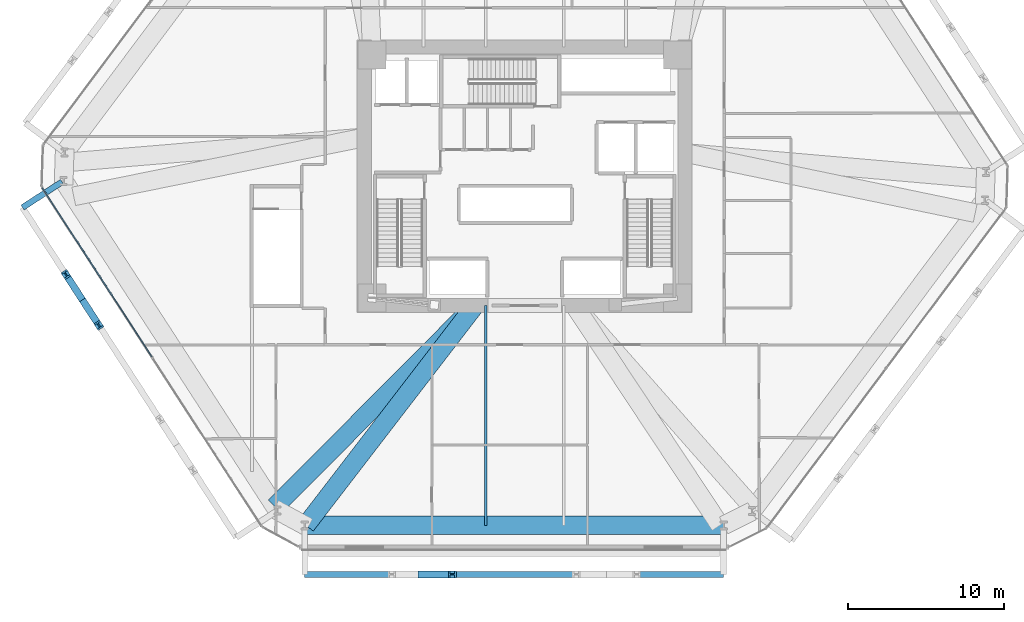
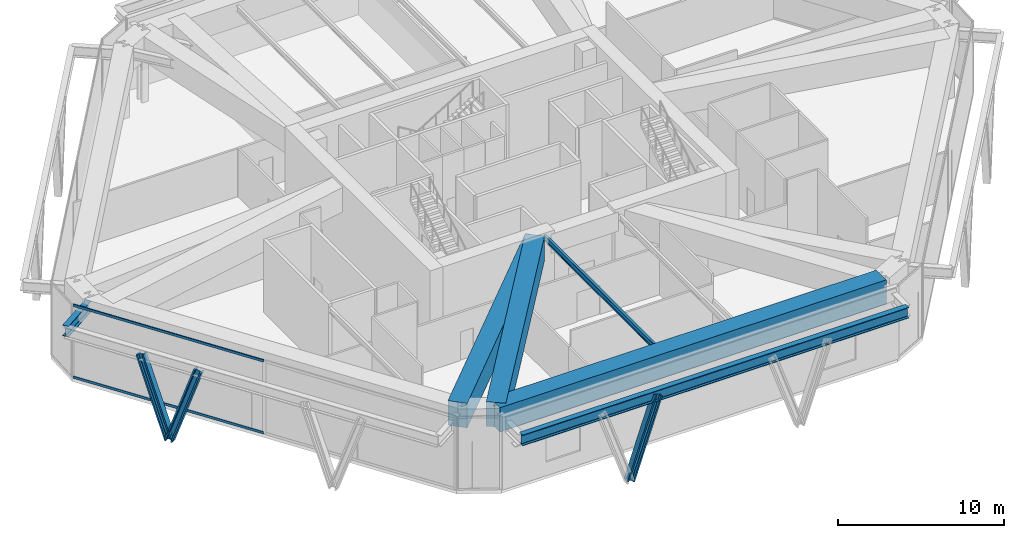
# One storey, part 3 of 19: 6 beams, 5 members, 1 element without a shape of its own.
"""IFC4 building model written with IfcOpenShell, lengths in metres."""

from ifc_helpers import new_model, si_unit, direction, frame, origin, origin_2d, place, context, subcontext, project, spatial, rectangle, i_section, extrude, source, transform, mapped, material, layer, layer_set, material_profile, profile_set, type_object, type_shapes, element, aggregate, save


model = new_model("IFC4")

# Units and contexts
model_context = context("Model", 3, precision=1e-05, world=origin(), true_north=direction((0.0, 1.0)))
body_context = subcontext(model_context, "Body", "Model", "MODEL_VIEW")
ifc_project = project(units=[si_unit("LENGTHUNIT", "METRE"), si_unit("AREAUNIT", "SQUARE_METRE"), si_unit("VOLUMEUNIT", "CUBIC_METRE"), si_unit("PLANEANGLEUNIT", "RADIAN"), si_unit("MASSUNIT", "GRAM", prefix="KILO")], contexts=[model_context])

# Site, building, storey
site_placement = place(None, origin())
site = spatial("IfcSite", under=ifc_project, at=site_placement, CompositionType="ELEMENT")
building_placement = place(site_placement, origin())
building = spatial("IfcBuilding", under=site, at=building_placement, Name="Durnholm Broadcast Tower", CompositionType="ELEMENT")
storey_placement = place(building_placement, frame((0.0, 0.0, 26.800048828125)))
storey = spatial("IfcBuildingStorey", under=building, at=storey_placement, Name="L05", CompositionType="ELEMENT", Elevation=26.800048828125)

# Beams
ifc_material_1 = material(Name="Steel ASTM A992 Grade 50", Category="steel")
ifc_material_profile_1 = material_profile(ifc_material_1, i_section(OverallWidth=0.180908203125, OverallDepth=0.417236328125, WebThickness=0.010986328125, FlangeThickness=0.018310546875, FilletRadius=0.01904296875, at=origin_2d()), Name="W16X57")
ifc_profile_set_1 = profile_set([ifc_material_profile_1], Name="Steel ASTM A992 Grade 50")
beam_type_1 = type_object("IfcBeamType", Name="STL-BJ-W16X57", PredefinedType="JOIST", material=ifc_profile_set_1)
shared_shape_1 = source(origin(), body_context, "Body", "SweptSolid", [
    extrude(i_section(OverallWidth=0.180908203125, OverallDepth=0.417236328125, WebThickness=0.010986328125, FlangeThickness=0.018310546875, FilletRadius=0.01904296875, at=origin_2d()), origin(), (0.0, 0.0, 1.0), 14.099853515625),
])
type_shapes(beam_type_1, [shared_shape_1])
beam_1_placement = place(storey_placement, frame((-2.5, -22.39990234375, 4.93115234375), z_axis=(0.0, 1.0, 0.0), x_axis=(-1.0, 0.0, 0.0)))
element("IfcBeam", 1, at=beam_1_placement, inside=storey, type_object=beam_type_1, Name="L05 secondary floor joist 5.1", PredefinedType="JOIST", context=body_context, shape_type="MappedRepresentation", body=[
    mapped(shared_shape_1, transform((0.0, 0.0, 0.0), x_axis=(1.0, 0.0, 0.0), y_axis=(0.0, 1.0, 0.0), z_axis=(0.0, 0.0, 1.0), scale=1.0)),
])
ifc_material_profile_2 = material_profile(ifc_material_1, i_section(OverallWidth=0.385009765625, OverallDepth=0.802978515625, WebThickness=0.023681640625, FlangeThickness=0.0419921875, FilletRadius=0.032958984375, at=origin_2d()), Name="W30X261")
ifc_profile_set_2 = profile_set([ifc_material_profile_2], Name="Steel ASTM A992 Grade 50")
beam_type_2 = type_object("IfcBeamType", Name="BM-EXO-TIE", PredefinedType="USERDEFINED", material=ifc_profile_set_2)
shared_shape_2 = source(origin(), body_context, "Body", "SweptSolid", [
    extrude(i_section(OverallWidth=0.385009765625, OverallDepth=0.802978515625, WebThickness=0.023681640625, FlangeThickness=0.0419921875, FilletRadius=0.032958984375, at=origin_2d()), origin(), (0.0, 0.0, 1.0), 26.891357421875),
])
beam_2_placement = place(storey_placement, frame((-14.119384765625, -25.550048828125, 4.6083984375), z_axis=(1.0, 0.0, 0.0), x_axis=(0.0, 1.0, 0.0)))
element("IfcBeam", 2, at=beam_2_placement, inside=storey, type_object=beam_type_2, Name="L05 exoskeleton collector spandrel F1", PredefinedType="SPANDREL", context=body_context, shape_type="MappedRepresentation", body=[
    mapped(shared_shape_2, transform((0.0, 0.0, 0.0), x_axis=(1.0, 0.0, 0.0), y_axis=(0.0, 1.0, 0.0), z_axis=(0.0, 0.0, 1.0), scale=1.0)),
])
shared_shape_3 = source(origin(), body_context, "Body", "SweptSolid", [
    extrude(i_section(OverallWidth=0.385009765625, OverallDepth=0.802978515625, WebThickness=0.023681640625, FlangeThickness=0.0419921875, FilletRadius=0.032958984375, at=origin_2d()), origin(), (0.0, 0.0, 1.0), 3.02392578125),
])
type_shapes(beam_type_2, [shared_shape_2, shared_shape_3])
beam_3_placement = place(storey_placement, frame((-29.6962890625, -0.357177734375, 4.6083984375), z_axis=(-0.838989179675, -0.544148101521, 0.0), x_axis=(0.544148101521, -0.838989179675, 0.0)))
element("IfcBeam", 3, at=beam_3_placement, inside=storey, type_object=beam_type_2, Name="L05 exoskeleton stand-off tie bracket F6.1", ObjectType="GIRDER", PredefinedType="USERDEFINED", context=body_context, shape_type="MappedRepresentation", body=[
    mapped(shared_shape_3, transform((0.0, 0.0, 0.0), x_axis=(1.0, 0.0, 0.0), y_axis=(0.0, 1.0, 0.0), z_axis=(0.0, 0.0, 1.0), scale=1.0)),
])
ifc_material_2 = material(Name="Concrete C70/85", Category="concrete")
ifc_material_profile_3 = material_profile(ifc_material_2, rectangle(XDim=1.199951171875, YDim=1.800048828125, at=origin_2d()), Name="RC1200X1800")
ifc_profile_set_3 = profile_set([ifc_material_profile_3], Name="Concrete C70/85")
beam_type_3 = type_object("IfcBeamType", Name="BM-TG-RC1800", PredefinedType="USERDEFINED", material=ifc_profile_set_3)
shared_shape_4 = source(origin(), body_context, "Body", "SweptSolid", [
    extrude(rectangle(XDim=1.199951171875, YDim=1.800048828125, at=origin_2d()), origin(), (0.0, 0.0, 1.0), 26.891357421875),
])
beam_4_placement = place(storey_placement, frame((12.77197265625, -22.39990234375, 4.4599609375), z_axis=(-1.0, 0.0, 0.0), x_axis=(0.0, -1.0, 0.0)))
element("IfcBeam", 4, at=beam_4_placement, inside=storey, type_object=beam_type_3, Name="L05 perimeter transfer spandrel girder 11", PredefinedType="SPANDREL", context=body_context, shape_type="MappedRepresentation", body=[
    mapped(shared_shape_4, transform((0.0, 0.0, 0.0), x_axis=(1.0, 0.0, 0.0), y_axis=(0.0, 1.0, 0.0), z_axis=(0.0, 0.0, 1.0), scale=1.0)),
])
shared_shape_5 = source(origin(), body_context, "Body", "SweptSolid", [
    extrude(rectangle(XDim=1.199951171875, YDim=1.800048828125, at=origin_2d()), origin(), (0.0, 0.0, 1.0), 18.193603515625),
])
beam_5_placement = place(storey_placement, frame((-3.199951171875, -8.300048828125, 4.4599609375), z_axis=(-0.705104514379, -0.709103394297, 0.0), x_axis=(0.709103394297, -0.705104514379, 0.0)))
element("IfcBeam", 5, at=beam_5_placement, inside=storey, type_object=beam_type_3, Name="L05 radial setback transfer girder 01", ObjectType="GIRDER", PredefinedType="USERDEFINED", context=body_context, shape_type="MappedRepresentation", body=[
    mapped(shared_shape_5, transform((0.0, 0.0, 0.0), x_axis=(1.0, 0.0, 0.0), y_axis=(0.0, 1.0, 0.0), z_axis=(0.0, 0.0, 1.0), scale=1.0)),
])
shared_shape_6 = source(origin(), body_context, "Body", "SweptSolid", [
    extrude(rectangle(XDim=1.199951171875, YDim=1.800048828125, at=origin_2d()), origin(), (0.0, 0.0, 1.0), 17.789306640625),
])
type_shapes(beam_type_3, [shared_shape_4, shared_shape_5, shared_shape_6])
beam_6_placement = place(storey_placement, frame((-3.199951171875, -8.300048828125, 4.4599609375), z_axis=(-0.609733310946, -0.792606642366, 0.0), x_axis=(0.792606642366, -0.609733310946, 0.0)))
element("IfcBeam", 6, at=beam_6_placement, inside=storey, type_object=beam_type_3, Name="L05 radial setback transfer girder 12", ObjectType="GIRDER", PredefinedType="USERDEFINED", context=body_context, shape_type="MappedRepresentation", body=[
    mapped(shared_shape_6, transform((0.0, 0.0, 0.0), x_axis=(1.0, 0.0, 0.0), y_axis=(0.0, 1.0, 0.0), z_axis=(0.0, 0.0, 1.0), scale=1.0)),
])

# Members
ifc_material_3 = material(Name="Steel ASTM A913 Grade 65", Category="steel")
ifc_material_profile_4 = material_profile(ifc_material_3, i_section(OverallWidth=0.44189453125, OverallDepth=0.531494140625, WebThickness=0.06591796875, FlangeThickness=0.105712890625, FilletRadius=0.030517578125, at=origin_2d()), Name="W14X605")
ifc_profile_set_4 = profile_set([ifc_material_profile_4], Name="Steel ASTM A913 Grade 65")
member_type_1 = type_object("IfcMemberType", Name="STL-DG-W14X605", PredefinedType="BRACE", material=ifc_profile_set_4)
shared_shape_7 = source(origin(), body_context, "Body", "SweptSolid", [
    extrude(i_section(OverallWidth=0.44189453125, OverallDepth=0.531494140625, WebThickness=0.06591796875, FlangeThickness=0.105712890625, FilletRadius=0.030517578125, at=origin_2d()), origin(), (0.0, 0.0, 1.0), 6.00341796875),
])
type_shapes(member_type_1, [shared_shape_7])
for number, where, z_axis, x_axis, name in (
    (7, (-6.58984375, -25.550048828125, -1.071533203125), (0.323866827071, 0.0, 0.946102678531), (0.0, 1.0, 0.0), "L05 stand-off diagrid brace F1.D1.2"),
    (8, (-28.390625, -7.927978515625, -1.071533203125), (-0.176207490012, 0.271732852125, 0.946103682235), (-0.839034101522, -0.544078832968, 0.0), "L05 stand-off diagrid brace F6.D1.1"),
    (9, (-28.390625, -7.927978515625, -1.071533203125), (0.176209437061, -0.271695187862, 0.946114136446), (0.838996925284, 0.544136158847, 0.0), "L05 stand-off diagrid brace F6.D1.2"),
):
    element("IfcMember", number, at=place(storey_placement, frame(where, z_axis=z_axis, x_axis=x_axis)), inside=storey, type_object=member_type_1, Name=name, PredefinedType="BRACE", context=body_context, shape_type="MappedRepresentation", body=[
        mapped(shared_shape_7, transform((0.0, 0.0, 0.0), x_axis=(1.0, 0.0, 0.0), y_axis=(0.0, 1.0, 0.0), z_axis=(0.0, 0.0, 1.0), scale=1.0)),
    ])

# Curtain wall, members
ifc_material_4 = material(Name="Aluminium and Solar Control IGU", Category="aluminium")
ifc_layer = layer(ifc_material_4, 0.219970703125)
ifc_layer_set = layer_set([ifc_layer], Name="Aluminium and Solar Control IGU")
curtain_wall_type = type_object("IfcCurtainWallType", Name="CW-SYS-2", PredefinedType="NOTDEFINED", material=ifc_layer_set)
curtain_wall_placement = place(storey_placement, origin())
curtain_wall = element("IfcCurtainWall", 10, at=curtain_wall_placement, inside=storey, type_object=curtain_wall_type, Name="L05 curtain wall CW-STUDIO CW-L05-F12", PredefinedType="NOTDEFINED")
ifc_material_5 = material(Name="Aluminium 6063-T6", Category="aluminium")
ifc_material_profile_5 = material_profile(ifc_material_5, rectangle(XDim=0.074951171875, YDim=0.179931640625, at=origin_2d()), Name="CWT75X180")
ifc_profile_set_5 = profile_set([ifc_material_profile_5], Name="Aluminium 6063-T6")
member_type_2 = type_object("IfcMemberType", Name="CW-SYS-2-TRN", PredefinedType="USERDEFINED", material=ifc_profile_set_5)
shared_shape_8 = source(origin(), body_context, "Body", "SweptSolid", [
    extrude(rectangle(XDim=0.074951171875, YDim=0.179931640625, at=origin_2d()), origin(), (0.0, 0.0, 1.0), 12.896728515625),
])
type_shapes(member_type_2, [shared_shape_8])
member_1_placement = place(storey_placement, frame((-23.9462890625, -11.564697265625, 0.037353515625), z_axis=(-0.544114398501, 0.839011037677, 0.0), x_axis=(-0.839011037677, -0.544114398501, 0.0)))
member_1 = element("IfcMember", 11, at=member_1_placement, type_object=member_type_2, Name="CW-STUDIO transom 2.1", ObjectType="TRANSOM", PredefinedType="USERDEFINED", context=body_context, shape_type="MappedRepresentation", body=[
    mapped(shared_shape_8, transform((0.0, 0.0, 0.0), x_axis=(1.0, 0.0, 0.0), y_axis=(0.0, 1.0, 0.0), z_axis=(0.0, 0.0, 1.0), scale=1.0)),
])
member_2_placement = place(storey_placement, frame((-23.9462890625, -11.564697265625, 5.322509765625), z_axis=(-0.544114398501, 0.839011037677, 0.0), x_axis=(-0.839011037677, -0.544114398501, 0.0)))
member_2 = element("IfcMember", 12, at=member_2_placement, type_object=member_type_2, Name="CW-STUDIO transom 2.2", ObjectType="TRANSOM", PredefinedType="USERDEFINED", context=body_context, shape_type="MappedRepresentation", body=[
    mapped(shared_shape_8, transform((0.0, 0.0, 0.0), x_axis=(1.0, 0.0, 0.0), y_axis=(0.0, 1.0, 0.0), z_axis=(0.0, 0.0, 1.0), scale=1.0)),
])
aggregate(curtain_wall, [member_1, member_2])

save(model, "model.ifc")
